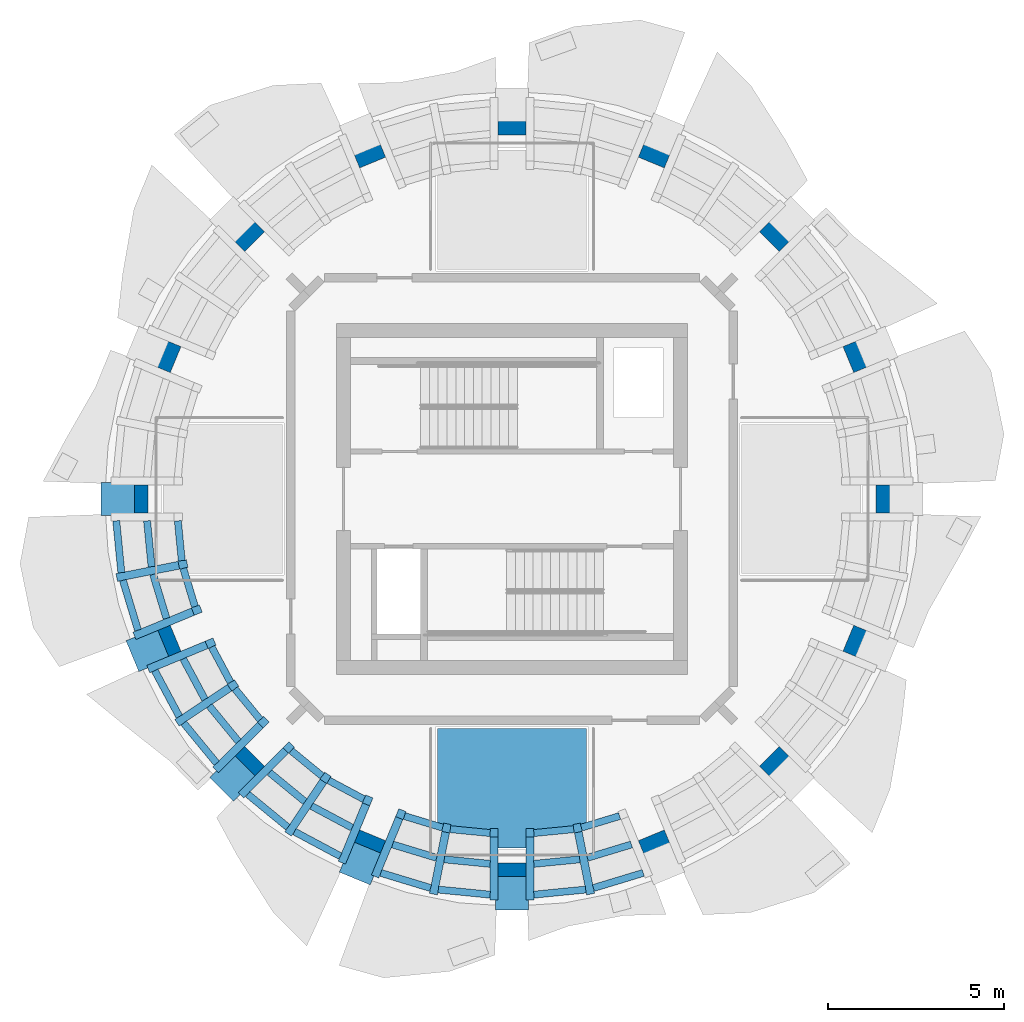
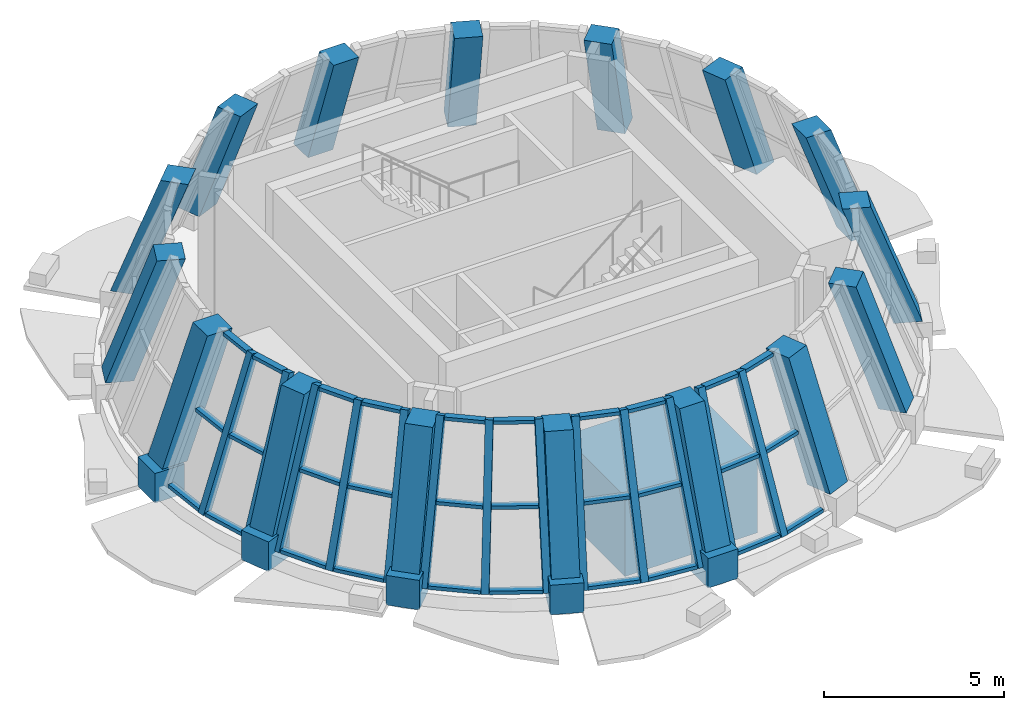
# One storey, part 1 of 9: 49 members, 16 columns, 5 elements without a shape of their own.
"""IFC4 building model written with IfcOpenShell, lengths in metres."""

from ifc_helpers import new_model, si_unit, direction, frame, origin, origin_2d, place, context, subcontext, project, spatial, rectangle, extrude, material, material_profile, profile_set, type_object, element, aggregate, save


model = new_model("IFC4")

# Units and contexts
model_context = context("Model", 3, precision=1e-05, world=origin(), true_north=direction((0.0, 1.0)))
body_context = subcontext(model_context, "Body", "Model", "MODEL_VIEW")
ifc_project = project(units=[si_unit("LENGTHUNIT", "METRE"), si_unit("AREAUNIT", "SQUARE_METRE"), si_unit("VOLUMEUNIT", "CUBIC_METRE"), si_unit("PLANEANGLEUNIT", "RADIAN"), si_unit("MASSUNIT", "GRAM", prefix="KILO")], contexts=[model_context])

# Site, building, storey
site_placement = place(None, origin())
site = spatial("IfcSite", under=ifc_project, at=site_placement, CompositionType="ELEMENT")
building_placement = place(site_placement, origin())
building = spatial("IfcBuilding", under=site, at=building_placement, Name="Polderwave Tower", CompositionType="ELEMENT")
storey_placement = place(building_placement, frame((0.0, 0.0, 239.39990234375)))
storey = spatial("IfcBuildingStorey", under=building, at=storey_placement, Name="L65", CompositionType="ELEMENT", Elevation=239.39990234375)

# Columns
ifc_material_1 = material(Name="Concrete C60/75", Category="concrete")
ifc_material_profile_1 = material_profile(ifc_material_1, rectangle(XDim=0.800048828125, YDim=0.800048828125, at=origin_2d()), Name="RC 800x800")
ifc_profile_set_1 = profile_set([ifc_material_profile_1], Name="Concrete C60/75")
column_type = type_object("IfcColumnType", Name="RC COLUMN 800x800 C60/75", PredefinedType="COLUMN", material=ifc_profile_set_1)
column_1_placement = place(storey_placement, frame((11.02001953125, 0.0, 0.5), z_axis=(0.0, 0.0, 1.0), x_axis=(0.0, -1.0, 0.0)))
element("IfcColumn", 1, at=column_1_placement, inside=storey, type_object=column_type, Name="Ring column 01", PredefinedType="COLUMN", context=body_context, shape_type="SweptSolid", body=[
    extrude(rectangle(XDim=0.800048828125, YDim=0.800048828125, at=origin_2d()), origin(), (0.0, -0.338707266939, 0.94089180426), 4.251220703125),
])
column_2_placement = place(storey_placement, frame((10.18115234375, 4.21728515625, 0.5), z_axis=(0.0, 0.0, 1.0), x_axis=(0.382820947077, -0.923822560062, 0.0)))
element("IfcColumn", 2, at=column_2_placement, inside=storey, type_object=column_type, Name="Ring column 02", PredefinedType="COLUMN", context=body_context, shape_type="SweptSolid", body=[
    extrude(rectangle(XDim=0.800048828125, YDim=0.800048828125, at=origin_2d()), origin(), (0.0, -0.338723475778, 0.940885969157), 4.251220703125),
])
column_3_placement = place(storey_placement, frame((7.792236328125, 7.792236328125, 0.5), z_axis=(0.0, 0.0, 1.0), x_axis=(0.707106781187, -0.707106781187, 0.0)))
element("IfcColumn", 3, at=column_3_placement, inside=storey, type_object=column_type, Name="Ring column 03", PredefinedType="COLUMN", context=body_context, shape_type="SweptSolid", body=[
    extrude(rectangle(XDim=0.800048828125, YDim=0.800048828125, at=origin_2d()), origin(), (0.0, -0.338670181719, 0.94090515357), 4.251220703125),
])
column_4_placement = place(storey_placement, frame((4.21728515625, 10.18115234375, 0.5), z_axis=(0.0, 0.0, 1.0), x_axis=(0.923822560062, -0.382820947077, 0.0)))
element("IfcColumn", 4, at=column_4_placement, inside=storey, type_object=column_type, Name="Ring column 04", PredefinedType="COLUMN", context=body_context, shape_type="SweptSolid", body=[
    extrude(rectangle(XDim=0.800048828125, YDim=0.800048828125, at=origin_2d()), origin(), (0.0, -0.338723475778, 0.940885969157), 4.251220703125),
])
column_5_placement = place(storey_placement, frame((0.0, 11.02001953125, 0.5), z_axis=(0.0, 0.0, 1.0), x_axis=(1.0, 0.0, 0.0)))
element("IfcColumn", 5, at=column_5_placement, inside=storey, type_object=column_type, Name="Ring column 05", PredefinedType="COLUMN", context=body_context, shape_type="SweptSolid", body=[
    extrude(rectangle(XDim=0.800048828125, YDim=0.800048828125, at=origin_2d()), origin(), (0.0, -0.338707266939, 0.94089180426), 4.251220703125),
])
column_6_placement = place(storey_placement, frame((-4.21728515625, 10.18115234375, 0.5), z_axis=(0.0, 0.0, 1.0), x_axis=(0.923822560062, 0.382820947077, 0.0)))
element("IfcColumn", 6, at=column_6_placement, inside=storey, type_object=column_type, Name="Ring column 06", PredefinedType="COLUMN", context=body_context, shape_type="SweptSolid", body=[
    extrude(rectangle(XDim=0.800048828125, YDim=0.800048828125, at=origin_2d()), origin(), (0.0, -0.338723475778, 0.940885969157), 4.251220703125),
])
column_7_placement = place(storey_placement, frame((-7.792236328125, 7.792236328125, 0.5), z_axis=(0.0, 0.0, 1.0), x_axis=(0.707106781187, 0.707106781187, 0.0)))
element("IfcColumn", 7, at=column_7_placement, inside=storey, type_object=column_type, Name="Ring column 07", PredefinedType="COLUMN", context=body_context, shape_type="SweptSolid", body=[
    extrude(rectangle(XDim=0.800048828125, YDim=0.800048828125, at=origin_2d()), origin(), (0.0, -0.338670181719, 0.94090515357), 4.251220703125),
])
column_8_placement = place(storey_placement, frame((-10.18115234375, 4.21728515625, 0.5), z_axis=(0.0, 0.0, 1.0), x_axis=(0.382820947077, 0.923822560062, 0.0)))
element("IfcColumn", 8, at=column_8_placement, inside=storey, type_object=column_type, Name="Ring column 08", PredefinedType="COLUMN", context=body_context, shape_type="SweptSolid", body=[
    extrude(rectangle(XDim=0.800048828125, YDim=0.800048828125, at=origin_2d()), origin(), (0.0, -0.338723475778, 0.940885969157), 4.251220703125),
])
column_9_placement = place(storey_placement, frame((-11.02001953125, 0.0, 0.5), z_axis=(0.0, 0.0, 1.0), x_axis=(0.0, 1.0, 0.0)))
element("IfcColumn", 9, at=column_9_placement, inside=storey, type_object=column_type, Name="Ring column 09", PredefinedType="COLUMN", context=body_context, shape_type="SweptSolid", body=[
    extrude(rectangle(XDim=0.800048828125, YDim=0.800048828125, at=origin_2d()), origin(), (0.0, -0.338707266939, 0.94089180426), 4.251220703125),
])
column_10_placement = place(storey_placement, frame((-10.18115234375, -4.21728515625, 0.5), z_axis=(0.0, 0.0, 1.0), x_axis=(-0.382820947077, 0.923822560062, 0.0)))
element("IfcColumn", 10, at=column_10_placement, inside=storey, type_object=column_type, Name="Ring column 10", PredefinedType="COLUMN", context=body_context, shape_type="SweptSolid", body=[
    extrude(rectangle(XDim=0.800048828125, YDim=0.800048828125, at=origin_2d()), origin(), (0.0, -0.338723475778, 0.940885969157), 4.251220703125),
])
column_11_placement = place(storey_placement, frame((-7.792236328125, -7.792236328125, 0.5), z_axis=(0.0, 0.0, 1.0), x_axis=(-0.707106781187, 0.707106781187, 0.0)))
element("IfcColumn", 11, at=column_11_placement, inside=storey, type_object=column_type, Name="Ring column 11", PredefinedType="COLUMN", context=body_context, shape_type="SweptSolid", body=[
    extrude(rectangle(XDim=0.800048828125, YDim=0.800048828125, at=origin_2d()), origin(), (0.0, -0.338670181719, 0.94090515357), 4.251220703125),
])
column_12_placement = place(storey_placement, frame((-4.21728515625, -10.18115234375, 0.5), z_axis=(0.0, 0.0, 1.0), x_axis=(-0.923822560062, 0.382820947077, 0.0)))
element("IfcColumn", 12, at=column_12_placement, inside=storey, type_object=column_type, Name="Ring column 12", PredefinedType="COLUMN", context=body_context, shape_type="SweptSolid", body=[
    extrude(rectangle(XDim=0.800048828125, YDim=0.800048828125, at=origin_2d()), origin(), (0.0, -0.338723475778, 0.940885969157), 4.251220703125),
])
column_13_placement = place(storey_placement, frame((0.0, -11.02001953125, 0.5), z_axis=(0.0, 0.0, 1.0), x_axis=(-1.0, 0.0, 0.0)))
element("IfcColumn", 13, at=column_13_placement, inside=storey, type_object=column_type, Name="Ring column 13", PredefinedType="COLUMN", context=body_context, shape_type="SweptSolid", body=[
    extrude(rectangle(XDim=0.800048828125, YDim=0.800048828125, at=origin_2d()), origin(), (0.0, -0.338707266939, 0.94089180426), 4.251220703125),
])
column_14_placement = place(storey_placement, frame((4.21728515625, -10.18115234375, 0.5), z_axis=(0.0, 0.0, 1.0), x_axis=(-0.923822560062, -0.382820947077, 0.0)))
element("IfcColumn", 14, at=column_14_placement, inside=storey, type_object=column_type, Name="Ring column 14", PredefinedType="COLUMN", context=body_context, shape_type="SweptSolid", body=[
    extrude(rectangle(XDim=0.800048828125, YDim=0.800048828125, at=origin_2d()), origin(), (0.0, -0.338723475778, 0.940885969157), 4.251220703125),
])
column_15_placement = place(storey_placement, frame((7.792236328125, -7.792236328125, 0.5), z_axis=(0.0, 0.0, 1.0), x_axis=(-0.707106781187, -0.707106781187, 0.0)))
element("IfcColumn", 15, at=column_15_placement, inside=storey, type_object=column_type, Name="Ring column 15", PredefinedType="COLUMN", context=body_context, shape_type="SweptSolid", body=[
    extrude(rectangle(XDim=0.800048828125, YDim=0.800048828125, at=origin_2d()), origin(), (0.0, -0.338670181719, 0.94090515357), 4.251220703125),
])
column_16_placement = place(storey_placement, frame((10.18115234375, -4.21728515625, 0.5), z_axis=(0.0, 0.0, 1.0), x_axis=(-0.382820947077, -0.923822560062, 0.0)))
element("IfcColumn", 16, at=column_16_placement, inside=storey, type_object=column_type, Name="Ring column 16", PredefinedType="COLUMN", context=body_context, shape_type="SweptSolid", body=[
    extrude(rectangle(XDim=0.800048828125, YDim=0.800048828125, at=origin_2d()), origin(), (0.0, -0.338723475778, 0.940885969157), 4.251220703125),
])

# Curtain wall, members
ifc_material_2 = material(Name="Aluminium 6063-T6 and glass", Category="aluminium")
curtain_wall_type = type_object("IfcCurtainWallType", Name="Damper floor glazing wall", PredefinedType="NOTDEFINED", material=ifc_material_2)
curtain_wall_1_placement = place(storey_placement, origin())
curtain_wall_1 = element("IfcCurtainWall", 17, at=curtain_wall_1_placement, inside=storey, type_object=curtain_wall_type, Name="CROWN CW7 L65 08", PredefinedType="NOTDEFINED")
ifc_material_3 = material(Name="Aluminium 6063-T6", Category="aluminium")
ifc_material_profile_2 = material_profile(ifc_material_3, rectangle(XDim=0.22509765625, YDim=0.260009765625, at=origin_2d()), Name="AL 225x260")
ifc_profile_set_2 = profile_set([ifc_material_profile_2], Name="Aluminium 6063-T6")
member_type_1 = type_object("IfcMemberType", Name="Damper floor glazing mullion 225x260", PredefinedType="MULLION", material=ifc_profile_set_2)
member_1_placement = place(storey_placement, frame((-11.134033203125, -2.215087890625, 0.0), z_axis=(0.353999892072, 0.070408277289, 0.932591416914), x_axis=(-0.195072520718, 0.980788821134, 0.0)))
member_1 = element("IfcMember", 18, at=member_1_placement, type_object=member_type_1, Name="CW7 mullion 2", PredefinedType="MULLION", context=body_context, shape_type="SweptSolid", body=[
    extrude(rectangle(XDim=0.22509765625, YDim=0.260009765625, at=origin_2d()), origin(), (0.0, 0.0, 1.0), 4.986328125),
])
member_2_placement = place(storey_placement, frame((-10.6376953125, -3.852294921875, 0.0), z_axis=(0.333523000512, 0.138168218944, 0.932562036223), x_axis=(-0.382727098568, 0.923861444169, 0.0)))
member_2 = element("IfcMember", 19, at=member_2_placement, type_object=member_type_1, Name="CW7 mullion 3", PredefinedType="MULLION", context=body_context, shape_type="SweptSolid", body=[
    extrude(rectangle(XDim=0.22509765625, YDim=0.260009765625, at=origin_2d()), origin(), (0.0, 0.0, 1.0), 4.986328125),
])

curtain_wall_2_placement = place(storey_placement, origin())
curtain_wall_2 = element("IfcCurtainWall", 20, at=curtain_wall_2_placement, inside=storey, type_object=curtain_wall_type, Name="CROWN CW7 L65 09", PredefinedType="NOTDEFINED")
member_3_placement = place(storey_placement, frame((-10.245849609375, -4.798095703125, 0.0), z_axis=(0.333479484662, 0.138170475072, 0.932577263892), x_axis=(-0.382775058439, 0.923841574425, 0.0)))
member_3 = element("IfcMember", 21, at=member_3_placement, type_object=member_type_1, Name="CW7 mullion 1", PredefinedType="MULLION", context=body_context, shape_type="SweptSolid", body=[
    extrude(rectangle(XDim=0.22509765625, YDim=0.260009765625, at=origin_2d()), origin(), (0.0, 0.0, 1.0), 4.986328125),
])
member_4_placement = place(storey_placement, frame((-9.43896484375, -6.306884765625, 0.0), z_axis=(0.300225275248, 0.200541866832, 0.93254905702), x_axis=(-0.555451030829, 0.831549248302, 0.0)))
member_4 = element("IfcMember", 22, at=member_4_placement, type_object=member_type_1, Name="CW7 mullion 2", PredefinedType="MULLION", context=body_context, shape_type="SweptSolid", body=[
    extrude(rectangle(XDim=0.22509765625, YDim=0.260009765625, at=origin_2d()), origin(), (0.0, 0.0, 1.0), 4.986572265625),
])
member_5_placement = place(storey_placement, frame((-8.353515625, -7.629150390625, 0.0), z_axis=(0.255337109871, 0.255141261656, 0.932580236185), x_axis=(-0.706835443234, 0.707378015058, 0.0)))
member_5 = element("IfcMember", 23, at=member_5_placement, type_object=member_type_1, Name="CW7 mullion 3", PredefinedType="MULLION", context=body_context, shape_type="SweptSolid", body=[
    extrude(rectangle(XDim=0.22509765625, YDim=0.260009765625, at=origin_2d()), origin(), (0.0, 0.0, 1.0), 4.986328125),
])

curtain_wall_3_placement = place(storey_placement, origin())
curtain_wall_3 = element("IfcCurtainWall", 24, at=curtain_wall_3_placement, inside=storey, type_object=curtain_wall_type, Name="CROWN CW7 L65 10", PredefinedType="NOTDEFINED")
member_6_placement = place(storey_placement, frame((-7.629150390625, -8.353515625, 0.0), z_axis=(0.255141261656, 0.255337109871, 0.932580236185), x_axis=(-0.707378015058, 0.706835443234, 0.0)))
member_6 = element("IfcMember", 25, at=member_6_placement, type_object=member_type_1, Name="CW7 mullion 1", PredefinedType="MULLION", context=body_context, shape_type="SweptSolid", body=[
    extrude(rectangle(XDim=0.22509765625, YDim=0.260009765625, at=origin_2d()), origin(), (0.0, 0.0, 1.0), 4.986328125),
])
member_7_placement = place(storey_placement, frame((-6.306884765625, -9.43896484375, 0.0), z_axis=(0.200541866832, 0.300225275248, 0.93254905702), x_axis=(-0.831549248302, 0.555451030829, 0.0)))
member_7 = element("IfcMember", 26, at=member_7_placement, type_object=member_type_1, Name="CW7 mullion 2", PredefinedType="MULLION", context=body_context, shape_type="SweptSolid", body=[
    extrude(rectangle(XDim=0.22509765625, YDim=0.260009765625, at=origin_2d()), origin(), (0.0, 0.0, 1.0), 4.986572265625),
])
member_8_placement = place(storey_placement, frame((-4.798095703125, -10.245849609375, 0.0), z_axis=(0.138170475072, 0.333479484662, 0.932577263892), x_axis=(-0.923841574425, 0.382775058439, 0.0)))
member_8 = element("IfcMember", 27, at=member_8_placement, type_object=member_type_1, Name="CW7 mullion 3", PredefinedType="MULLION", context=body_context, shape_type="SweptSolid", body=[
    extrude(rectangle(XDim=0.22509765625, YDim=0.260009765625, at=origin_2d()), origin(), (0.0, 0.0, 1.0), 4.986328125),
])

curtain_wall_4_placement = place(storey_placement, origin())
curtain_wall_4 = element("IfcCurtainWall", 28, at=curtain_wall_4_placement, inside=storey, type_object=curtain_wall_type, Name="CROWN CW7 L65 11", PredefinedType="NOTDEFINED")
member_9_placement = place(storey_placement, frame((-3.852294921875, -10.6376953125, 0.0), z_axis=(0.138168218944, 0.333523000512, 0.932562036223), x_axis=(-0.923861444169, 0.382727098568, 0.0)))
member_9 = element("IfcMember", 29, at=member_9_placement, type_object=member_type_1, Name="CW7 mullion 1", PredefinedType="MULLION", context=body_context, shape_type="SweptSolid", body=[
    extrude(rectangle(XDim=0.22509765625, YDim=0.260009765625, at=origin_2d()), origin(), (0.0, 0.0, 1.0), 4.986328125),
])
member_10_placement = place(storey_placement, frame((-2.215087890625, -11.134033203125, 0.0), z_axis=(0.070408277289, 0.353999892072, 0.932591416914), x_axis=(-0.980788821134, 0.195072520718, 0.0)))
member_10 = element("IfcMember", 30, at=member_10_placement, type_object=member_type_1, Name="CW7 mullion 2", PredefinedType="MULLION", context=body_context, shape_type="SweptSolid", body=[
    extrude(rectangle(XDim=0.22509765625, YDim=0.260009765625, at=origin_2d()), origin(), (0.0, 0.0, 1.0), 4.986328125),
])
member_11_placement = place(storey_placement, frame((-0.511962890625, -11.302001953125, 0.0), z_axis=(0.0, 0.360992728978, 0.932568629981), x_axis=(-1.0, 0.0, 0.0)))
member_11 = element("IfcMember", 31, at=member_11_placement, type_object=member_type_1, Name="CW7 mullion 3", PredefinedType="MULLION", context=body_context, shape_type="SweptSolid", body=[
    extrude(rectangle(XDim=0.22509765625, YDim=0.260009765625, at=origin_2d()), origin(), (0.0, 0.0, 1.0), 4.986328125),
])

curtain_wall_5_placement = place(storey_placement, origin())
curtain_wall_5 = element("IfcCurtainWall", 32, at=curtain_wall_5_placement, inside=storey, type_object=curtain_wall_type, Name="CROWN CW7 L65 12", PredefinedType="NOTDEFINED")
member_12_placement = place(storey_placement, frame((0.511962890625, -11.302001953125, 0.0), z_axis=(0.0, 0.360992728978, 0.932568629981), x_axis=(-1.0, 0.0, 0.0)))
member_12 = element("IfcMember", 33, at=member_12_placement, type_object=member_type_1, Name="CW7 mullion 1", PredefinedType="MULLION", context=body_context, shape_type="SweptSolid", body=[
    extrude(rectangle(XDim=0.22509765625, YDim=0.260009765625, at=origin_2d()), origin(), (0.0, 0.0, 1.0), 4.986328125),
])
member_13_placement = place(storey_placement, frame((2.215087890625, -11.134033203125, 0.0), z_axis=(-0.070408277289, 0.353999892072, 0.932591416914), x_axis=(-0.980788821134, -0.195072520718, 0.0)))
member_13 = element("IfcMember", 34, at=member_13_placement, type_object=member_type_1, Name="CW7 mullion 2", PredefinedType="MULLION", context=body_context, shape_type="SweptSolid", body=[
    extrude(rectangle(XDim=0.22509765625, YDim=0.260009765625, at=origin_2d()), origin(), (0.0, 0.0, 1.0), 4.986328125),
])

# Member
ifc_material_profile_3 = material_profile(ifc_material_3, rectangle(XDim=0.199951171875, YDim=0.1201171875, at=origin_2d()), Name="AL 120x200")
ifc_profile_set_3 = profile_set([ifc_material_profile_3], Name="Aluminium 6063-T6")
member_type_2 = type_object("IfcMemberType", Name="Damper floor glazing transom 120x200", PredefinedType="USERDEFINED", material=ifc_profile_set_3)
member_14_placement = place(storey_placement, frame((-11.267578125, -0.623779296875, 0.06005859375), z_axis=(0.098035404298, -0.995182927659, 0.0), x_axis=(0.995182927659, 0.098035404298, 0.0)))
member_14 = element("IfcMember", 35, at=member_14_placement, type_object=member_type_2, Name="CW7 transom 1", ObjectType="TRANSOM", PredefinedType="USERDEFINED", context=body_context, shape_type="SweptSolid", body=[
    extrude(rectangle(XDim=0.199951171875, YDim=0.1201171875, at=origin_2d()), origin(), (0.0, 0.0, 1.0), 1.481689453125),
])

member_15_placement = place(storey_placement, frame((-10.390869140625, -0.623779296875, 2.3251953125), z_axis=(0.098027459105, -0.995183710307, 0.0), x_axis=(0.995183710307, 0.098027459105, 0.0)))
member_15 = element("IfcMember", 36, at=member_15_placement, type_object=member_type_2, Name="CW7 transom 2", ObjectType="TRANSOM", PredefinedType="USERDEFINED", context=body_context, shape_type="SweptSolid", body=[
    extrude(rectangle(XDim=0.199951171875, YDim=0.1201171875, at=origin_2d()), origin(), (0.0, 0.0, 1.0), 1.31005859375),
])

member_16_placement = place(storey_placement, frame((-9.51416015625, -0.623779296875, 4.590087890625), z_axis=(0.097804691048, -0.995205628204, 0.0), x_axis=(0.995205628204, 0.097804691048, 0.0)))
member_16 = element("IfcMember", 37, at=member_16_placement, type_object=member_type_2, Name="CW7 transom 3", ObjectType="TRANSOM", PredefinedType="USERDEFINED", context=body_context, shape_type="SweptSolid", body=[
    extrude(rectangle(XDim=0.199951171875, YDim=0.1201171875, at=origin_2d()), origin(), (0.0, 0.0, 1.0), 1.13818359375),
])

member_17_placement = place(storey_placement, frame((-11.07861328125, -2.318115234375, 0.06005859375), z_axis=(0.290204062127, -0.956964786356, 0.0), x_axis=(0.956964786356, 0.290204062127, 0.0)))
member_17 = element("IfcMember", 38, at=member_17_placement, type_object=member_type_2, Name="CW7 transom 4", ObjectType="TRANSOM", PredefinedType="USERDEFINED", context=body_context, shape_type="SweptSolid", body=[
    extrude(rectangle(XDim=0.199951171875, YDim=0.1201171875, at=origin_2d()), origin(), (0.0, 0.0, 1.0), 1.4814453125),
])

member_18_placement = place(storey_placement, frame((-10.218994140625, -2.147216796875, 2.3251953125), z_axis=(0.290323065161, -0.956928690047, 0.0), x_axis=(0.956928690047, 0.290323065161, 0.0)))
member_18 = element("IfcMember", 39, at=member_18_placement, type_object=member_type_2, Name="CW7 transom 5", ObjectType="TRANSOM", PredefinedType="USERDEFINED", context=body_context, shape_type="SweptSolid", body=[
    extrude(rectangle(XDim=0.199951171875, YDim=0.1201171875, at=origin_2d()), origin(), (0.0, 0.0, 1.0), 1.309326171875),
])

member_19_placement = place(storey_placement, frame((-9.359130859375, -1.976318359375, 4.590087890625), z_axis=(0.290418430742, -0.956899751847, 0.0), x_axis=(0.956899751847, 0.290418430742, 0.0)))
member_19 = element("IfcMember", 40, at=member_19_placement, type_object=member_type_2, Name="CW7 transom 6", ObjectType="TRANSOM", PredefinedType="USERDEFINED", context=body_context, shape_type="SweptSolid", body=[
    extrude(rectangle(XDim=0.199951171875, YDim=0.1201171875, at=origin_2d()), origin(), (0.0, 0.0, 1.0), 1.137451171875),
])

aggregate(curtain_wall_1, [member_1, member_2, member_14, member_15, member_16, member_17, member_18, member_19])

member_20_placement = place(storey_placement, frame((-10.17138671875, -4.888427734375, 0.06005859375), z_axis=(0.471631391482, -0.881795798679, 0.0), x_axis=(0.881795798679, 0.471631391482, 0.0)))
member_20 = element("IfcMember", 41, at=member_20_placement, type_object=member_type_2, Name="CW7 transom 1", ObjectType="TRANSOM", PredefinedType="USERDEFINED", context=body_context, shape_type="SweptSolid", body=[
    extrude(rectangle(XDim=0.199951171875, YDim=0.1201171875, at=origin_2d()), origin(), (0.0, 0.0, 1.0), 1.4814453125),
])

member_21_placement = place(storey_placement, frame((-9.361328125, -4.552978515625, 2.3251953125), z_axis=(0.471652250337, -0.881784641935, 0.0), x_axis=(0.881784641935, 0.471652250337, 0.0)))
member_21 = element("IfcMember", 42, at=member_21_placement, type_object=member_type_2, Name="CW7 transom 2", ObjectType="TRANSOM", PredefinedType="USERDEFINED", context=body_context, shape_type="SweptSolid", body=[
    extrude(rectangle(XDim=0.199951171875, YDim=0.1201171875, at=origin_2d()), origin(), (0.0, 0.0, 1.0), 1.3095703125),
])

member_22_placement = place(storey_placement, frame((-8.55126953125, -4.21728515625, 4.590087890625), z_axis=(0.47175698723, -0.881728611876, 0.0), x_axis=(0.881728611876, 0.47175698723, 0.0)))
member_22 = element("IfcMember", 43, at=member_22_placement, type_object=member_type_2, Name="CW7 transom 3", ObjectType="TRANSOM", PredefinedType="USERDEFINED", context=body_context, shape_type="SweptSolid", body=[
    extrude(rectangle(XDim=0.199951171875, YDim=0.1201171875, at=origin_2d()), origin(), (0.0, 0.0, 1.0), 1.137939453125),
])

member_23_placement = place(storey_placement, frame((-9.348388671875, -6.381103515625, 0.06005859375), z_axis=(0.634655050838, -0.772795552812, 0.0), x_axis=(0.772795552812, 0.634655050838, 0.0)))
member_23 = element("IfcMember", 44, at=member_23_placement, type_object=member_type_2, Name="CW7 transom 4", ObjectType="TRANSOM", PredefinedType="USERDEFINED", context=body_context, shape_type="SweptSolid", body=[
    extrude(rectangle(XDim=0.199951171875, YDim=0.1201171875, at=origin_2d()), origin(), (0.0, 0.0, 1.0), 1.48095703125),
])

member_24_placement = place(storey_placement, frame((-8.619140625, -5.893798828125, 2.3251953125), z_axis=(0.634445167529, -0.772967870871, 0.0), x_axis=(0.772967870871, 0.634445167529, 0.0)))
member_24 = element("IfcMember", 45, at=member_24_placement, type_object=member_type_2, Name="CW7 transom 5", ObjectType="TRANSOM", PredefinedType="USERDEFINED", context=body_context, shape_type="SweptSolid", body=[
    extrude(rectangle(XDim=0.199951171875, YDim=0.1201171875, at=origin_2d()), origin(), (0.0, 0.0, 1.0), 1.3095703125),
])

member_25_placement = place(storey_placement, frame((-7.889892578125, -5.40673828125, 4.590087890625), z_axis=(0.634171946025, -0.77319204786, 0.0), x_axis=(0.77319204786, 0.634171946025, 0.0)))
member_25 = element("IfcMember", 46, at=member_25_placement, type_object=member_type_2, Name="CW7 transom 6", ObjectType="TRANSOM", PredefinedType="USERDEFINED", context=body_context, shape_type="SweptSolid", body=[
    extrude(rectangle(XDim=0.199951171875, YDim=0.1201171875, at=origin_2d()), origin(), (0.0, 0.0, 1.0), 1.137939453125),
])

aggregate(curtain_wall_2, [member_3, member_4, member_5, member_20, member_21, member_22, member_23, member_24, member_25])

member_26_placement = place(storey_placement, frame((-7.525634765625, -8.408447265625, 0.06005859375), z_axis=(0.772795552812, -0.634655050838, 0.0), x_axis=(0.634655050838, 0.772795552812, 0.0)))
member_26 = element("IfcMember", 47, at=member_26_placement, type_object=member_type_2, Name="CW7 transom 1", ObjectType="TRANSOM", PredefinedType="USERDEFINED", context=body_context, shape_type="SweptSolid", body=[
    extrude(rectangle(XDim=0.199951171875, YDim=0.1201171875, at=origin_2d()), origin(), (0.0, 0.0, 1.0), 1.48095703125),
])

member_27_placement = place(storey_placement, frame((-6.906005859375, -7.788330078125, 2.3251953125), z_axis=(0.772967870871, -0.634445167529, 0.0), x_axis=(0.634445167529, 0.772967870871, 0.0)))
member_27 = element("IfcMember", 48, at=member_27_placement, type_object=member_type_2, Name="CW7 transom 2", ObjectType="TRANSOM", PredefinedType="USERDEFINED", context=body_context, shape_type="SweptSolid", body=[
    extrude(rectangle(XDim=0.199951171875, YDim=0.1201171875, at=origin_2d()), origin(), (0.0, 0.0, 1.0), 1.3095703125),
])

member_28_placement = place(storey_placement, frame((-6.28662109375, -7.168212890625, 4.590087890625), z_axis=(0.77319204786, -0.634171946025, 0.0), x_axis=(0.634171946025, 0.77319204786, 0.0)))
member_28 = element("IfcMember", 49, at=member_28_placement, type_object=member_type_2, Name="CW7 transom 3", ObjectType="TRANSOM", PredefinedType="USERDEFINED", context=body_context, shape_type="SweptSolid", body=[
    extrude(rectangle(XDim=0.199951171875, YDim=0.1201171875, at=origin_2d()), origin(), (0.0, 0.0, 1.0), 1.137939453125),
])

member_29_placement = place(storey_placement, frame((-6.19482421875, -9.47265625, 0.06005859375), z_axis=(0.881795798679, -0.471631391482, 0.0), x_axis=(0.471631391482, 0.881795798679, 0.0)))
member_29 = element("IfcMember", 50, at=member_29_placement, type_object=member_type_2, Name="CW7 transom 4", ObjectType="TRANSOM", PredefinedType="USERDEFINED", context=body_context, shape_type="SweptSolid", body=[
    extrude(rectangle(XDim=0.199951171875, YDim=0.1201171875, at=origin_2d()), origin(), (0.0, 0.0, 1.0), 1.4814453125),
])

member_30_placement = place(storey_placement, frame((-5.707763671875, -8.74365234375, 2.3251953125), z_axis=(0.881784641935, -0.471652250337, 0.0), x_axis=(0.471652250337, 0.881784641935, 0.0)))
member_30 = element("IfcMember", 51, at=member_30_placement, type_object=member_type_2, Name="CW7 transom 5", ObjectType="TRANSOM", PredefinedType="USERDEFINED", context=body_context, shape_type="SweptSolid", body=[
    extrude(rectangle(XDim=0.199951171875, YDim=0.1201171875, at=origin_2d()), origin(), (0.0, 0.0, 1.0), 1.3095703125),
])

member_31_placement = place(storey_placement, frame((-5.220703125, -8.014404296875, 4.590087890625), z_axis=(0.881728611876, -0.47175698723, 0.0), x_axis=(0.47175698723, 0.881728611876, 0.0)))
member_31 = element("IfcMember", 52, at=member_31_placement, type_object=member_type_2, Name="CW7 transom 6", ObjectType="TRANSOM", PredefinedType="USERDEFINED", context=body_context, shape_type="SweptSolid", body=[
    extrude(rectangle(XDim=0.199951171875, YDim=0.1201171875, at=origin_2d()), origin(), (0.0, 0.0, 1.0), 1.137939453125),
])

aggregate(curtain_wall_3, [member_6, member_7, member_8, member_26, member_27, member_28, member_29, member_30, member_31])

member_32_placement = place(storey_placement, frame((-3.73583984375, -10.648681640625, 0.06005859375), z_axis=(0.956964786356, -0.290204062127, 0.0), x_axis=(0.290204062127, 0.956964786356, 0.0)))
member_32 = element("IfcMember", 53, at=member_32_placement, type_object=member_type_2, Name="CW7 transom 1", ObjectType="TRANSOM", PredefinedType="USERDEFINED", context=body_context, shape_type="SweptSolid", body=[
    extrude(rectangle(XDim=0.199951171875, YDim=0.1201171875, at=origin_2d()), origin(), (0.0, 0.0, 1.0), 1.4814453125),
])

member_33_placement = place(storey_placement, frame((-3.400146484375, -9.8388671875, 2.3251953125), z_axis=(0.956928690047, -0.290323065161, 0.0), x_axis=(0.290323065161, 0.956928690047, 0.0)))
member_33 = element("IfcMember", 54, at=member_33_placement, type_object=member_type_2, Name="CW7 transom 2", ObjectType="TRANSOM", PredefinedType="USERDEFINED", context=body_context, shape_type="SweptSolid", body=[
    extrude(rectangle(XDim=0.199951171875, YDim=0.1201171875, at=origin_2d()), origin(), (0.0, 0.0, 1.0), 1.309326171875),
])

member_34_placement = place(storey_placement, frame((-3.064697265625, -9.02880859375, 4.590087890625), z_axis=(0.956899751847, -0.290418430742, 0.0), x_axis=(0.290418430742, 0.956899751847, 0.0)))
member_34 = element("IfcMember", 55, at=member_34_placement, type_object=member_type_2, Name="CW7 transom 3", ObjectType="TRANSOM", PredefinedType="USERDEFINED", context=body_context, shape_type="SweptSolid", body=[
    extrude(rectangle(XDim=0.199951171875, YDim=0.1201171875, at=origin_2d()), origin(), (0.0, 0.0, 1.0), 1.137451171875),
])

member_35_placement = place(storey_placement, frame((-2.098388671875, -11.122314453125, 0.06005859375), z_axis=(0.995182927659, -0.098035404298, 0.0), x_axis=(0.098035404298, 0.995182927659, 0.0)))
member_35 = element("IfcMember", 56, at=member_35_placement, type_object=member_type_2, Name="CW7 transom 4", ObjectType="TRANSOM", PredefinedType="USERDEFINED", context=body_context, shape_type="SweptSolid", body=[
    extrude(rectangle(XDim=0.199951171875, YDim=0.1201171875, at=origin_2d()), origin(), (0.0, 0.0, 1.0), 1.481689453125),
])

member_36_placement = place(storey_placement, frame((-1.927490234375, -10.262451171875, 2.3251953125), z_axis=(0.995183710307, -0.098027459105, 0.0), x_axis=(0.098027459105, 0.995183710307, 0.0)))
member_36 = element("IfcMember", 57, at=member_36_placement, type_object=member_type_2, Name="CW7 transom 5", ObjectType="TRANSOM", PredefinedType="USERDEFINED", context=body_context, shape_type="SweptSolid", body=[
    extrude(rectangle(XDim=0.199951171875, YDim=0.1201171875, at=origin_2d()), origin(), (0.0, 0.0, 1.0), 1.31005859375),
])

member_37_placement = place(storey_placement, frame((-1.756591796875, -9.40283203125, 4.590087890625), z_axis=(0.995205628204, -0.097804691048, 0.0), x_axis=(0.097804691048, 0.995205628204, 0.0)))
member_37 = element("IfcMember", 58, at=member_37_placement, type_object=member_type_2, Name="CW7 transom 6", ObjectType="TRANSOM", PredefinedType="USERDEFINED", context=body_context, shape_type="SweptSolid", body=[
    extrude(rectangle(XDim=0.199951171875, YDim=0.1201171875, at=origin_2d()), origin(), (0.0, 0.0, 1.0), 1.13818359375),
])

aggregate(curtain_wall_4, [member_9, member_10, member_11, member_32, member_33, member_34, member_35, member_36, member_37])

member_38_placement = place(storey_placement, frame((0.623779296875, -11.267578125, 0.06005859375), z_axis=(0.995182927659, 0.098035404298, 0.0), x_axis=(-0.098035404298, 0.995182927659, 0.0)))
member_38 = element("IfcMember", 59, at=member_38_placement, type_object=member_type_2, Name="CW7 transom 1", ObjectType="TRANSOM", PredefinedType="USERDEFINED", context=body_context, shape_type="SweptSolid", body=[
    extrude(rectangle(XDim=0.199951171875, YDim=0.1201171875, at=origin_2d()), origin(), (0.0, 0.0, 1.0), 1.481689453125),
])

member_39_placement = place(storey_placement, frame((0.623779296875, -10.390869140625, 2.3251953125), z_axis=(0.995183710307, 0.098027459105, 0.0), x_axis=(-0.098027459105, 0.995183710307, 0.0)))
member_39 = element("IfcMember", 60, at=member_39_placement, type_object=member_type_2, Name="CW7 transom 2", ObjectType="TRANSOM", PredefinedType="USERDEFINED", context=body_context, shape_type="SweptSolid", body=[
    extrude(rectangle(XDim=0.199951171875, YDim=0.1201171875, at=origin_2d()), origin(), (0.0, 0.0, 1.0), 1.31005859375),
])

member_40_placement = place(storey_placement, frame((0.623779296875, -9.51416015625, 4.590087890625), z_axis=(0.995205628204, 0.097804691048, 0.0), x_axis=(-0.097804691048, 0.995205628204, 0.0)))
member_40 = element("IfcMember", 61, at=member_40_placement, type_object=member_type_2, Name="CW7 transom 3", ObjectType="TRANSOM", PredefinedType="USERDEFINED", context=body_context, shape_type="SweptSolid", body=[
    extrude(rectangle(XDim=0.199951171875, YDim=0.1201171875, at=origin_2d()), origin(), (0.0, 0.0, 1.0), 1.13818359375),
])

member_41_placement = place(storey_placement, frame((2.318115234375, -11.07861328125, 0.06005859375), z_axis=(0.956964786356, 0.290204062127, 0.0), x_axis=(-0.290204062127, 0.956964786356, 0.0)))
member_41 = element("IfcMember", 62, at=member_41_placement, type_object=member_type_2, Name="CW7 transom 4", ObjectType="TRANSOM", PredefinedType="USERDEFINED", context=body_context, shape_type="SweptSolid", body=[
    extrude(rectangle(XDim=0.199951171875, YDim=0.1201171875, at=origin_2d()), origin(), (0.0, 0.0, 1.0), 1.4814453125),
])

member_42_placement = place(storey_placement, frame((2.147216796875, -10.218994140625, 2.3251953125), z_axis=(0.956928690047, 0.290323065161, 0.0), x_axis=(-0.290323065161, 0.956928690047, 0.0)))
member_42 = element("IfcMember", 63, at=member_42_placement, type_object=member_type_2, Name="CW7 transom 5", ObjectType="TRANSOM", PredefinedType="USERDEFINED", context=body_context, shape_type="SweptSolid", body=[
    extrude(rectangle(XDim=0.199951171875, YDim=0.1201171875, at=origin_2d()), origin(), (0.0, 0.0, 1.0), 1.309326171875),
])

member_43_placement = place(storey_placement, frame((1.976318359375, -9.359130859375, 4.590087890625), z_axis=(0.956899751847, 0.290418430742, 0.0), x_axis=(-0.290418430742, 0.956899751847, 0.0)))
member_43 = element("IfcMember", 64, at=member_43_placement, type_object=member_type_2, Name="CW7 transom 6", ObjectType="TRANSOM", PredefinedType="USERDEFINED", context=body_context, shape_type="SweptSolid", body=[
    extrude(rectangle(XDim=0.199951171875, YDim=0.1201171875, at=origin_2d()), origin(), (0.0, 0.0, 1.0), 1.137451171875),
])

aggregate(curtain_wall_5, [member_12, member_13, member_38, member_39, member_40, member_41, member_42, member_43])

# Members
ifc_material_4 = material(Name="Steel S355", Category="steel")
ifc_material_profile_4 = material_profile(ifc_material_4, rectangle(XDim=3.39990234375, YDim=4.2353515625, at=origin_2d()), Name="Steel block 3400x4235")
ifc_profile_set_4 = profile_set([ifc_material_profile_4], Name="Steel S355")
member_type_3 = type_object("IfcMemberType", Name="Damper mass block 3400 x 4235", PredefinedType="MEMBER", material=ifc_profile_set_4)
member_44_placement = place(storey_placement, frame((0.0, -8.235107421875, -0.599853515625), z_axis=(0.0, 0.0, 1.0), x_axis=(0.0, -1.0, 0.0)))
element("IfcMember", 65, at=member_44_placement, inside=storey, type_object=member_type_3, Name="Tuned mass damper block 4", PredefinedType="MEMBER", context=body_context, shape_type="SweptSolid", body=[
    extrude(rectangle(XDim=3.39990234375, YDim=4.2353515625, at=origin_2d()), origin(), (0.0, 0.0, 1.0), 2.699951171875),
])
ifc_material_profile_5 = material_profile(ifc_material_1, rectangle(XDim=0.949951171875, YDim=0.949951171875, at=origin_2d()), Name="RC 950x950")
ifc_profile_set_5 = profile_set([ifc_material_profile_5], Name="Concrete C60/75")
member_type_4 = type_object("IfcMemberType", Name="RC NODE 950x950 C60/75", PredefinedType="POST", material=ifc_profile_set_5)
for number, where, z_axis, x_axis, name in (
    (66, (-11.222412109375, 0.0, -0.5), (0.0, 0.0, 1.0), (-1.0, 0.0, 0.0), "Ring column node 09"),
    (67, (-10.3681640625, -4.294677734375, -0.5), (0.0, 0.0, 1.0), (-0.923879532511, -0.382683432365, 0.0), "Ring column node 10"),
    (68, (-7.935546875, -7.935546875, -0.5), (0.0, 0.0, 1.0), (-0.707106781187, -0.707106781187, 0.0), "Ring column node 11"),
    (69, (-4.294677734375, -10.3681640625, -0.5), (0.0, 0.0, 1.0), (-0.382683432365, -0.923879532511, 0.0), "Ring column node 12"),
    (70, (0.0, -11.222412109375, -0.5), (0.0, 0.0, 1.0), (0.0, -1.0, 0.0), "Ring column node 13"),
):
    element("IfcMember", number, at=place(storey_placement, frame(where, z_axis=z_axis, x_axis=x_axis)), inside=storey, type_object=member_type_4, Name=name, PredefinedType="POST", context=body_context, shape_type="SweptSolid", body=[
        extrude(rectangle(XDim=0.949951171875, YDim=0.949951171875, at=origin_2d()), origin(), (0.0, 0.0, 1.0), 1.0),
    ])

save(model, "model.ifc")
